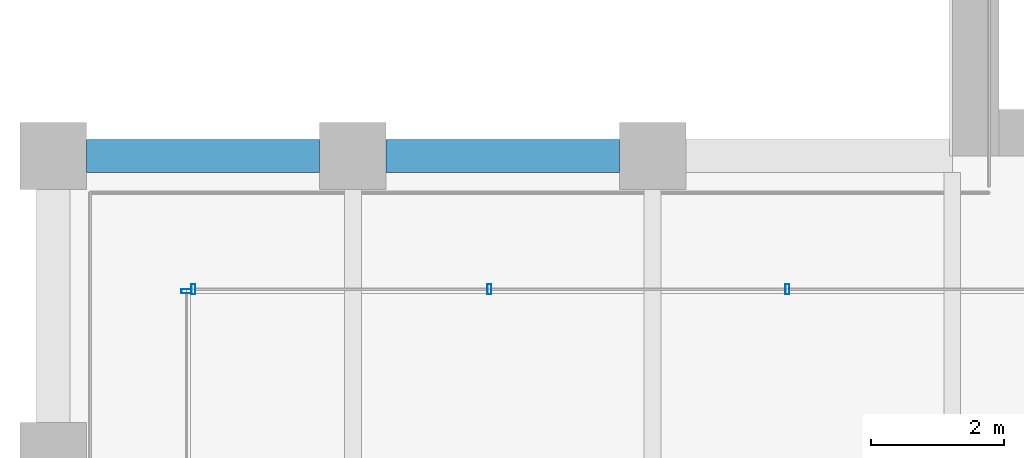
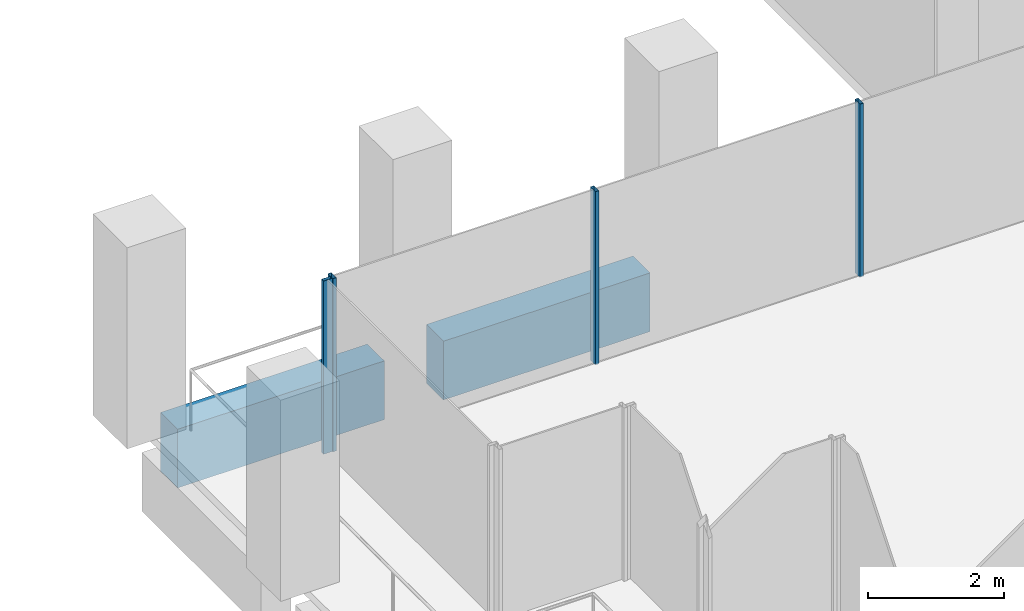
# One storey, part 5 of 45: 4 members, 2 beams, 2 elements without a shape of their own.
"""IFC4 building model written with IfcOpenShell, lengths in metres."""

from ifc_helpers import new_model, si_unit, direction, frame, origin, origin_2d, place, context, subcontext, project, spatial, rectangle, hollow_rectangle, extrude, material, material_profile, profile_set, type_object, element, aggregate, save


model = new_model("IFC4")

# Units and contexts
model_context = context("Model", 3, precision=1e-05, world=origin(), true_north=direction((0.0, 1.0)))
body_context = subcontext(model_context, "Body", "Model", "MODEL_VIEW")
ifc_project = project(units=[si_unit("LENGTHUNIT", "METRE"), si_unit("AREAUNIT", "SQUARE_METRE"), si_unit("VOLUMEUNIT", "CUBIC_METRE"), si_unit("PLANEANGLEUNIT", "RADIAN"), si_unit("MASSUNIT", "GRAM", prefix="KILO")], contexts=[model_context])

# Site, building, storey
site_placement = place(None, origin())
site = spatial("IfcSite", under=ifc_project, at=site_placement, CompositionType="ELEMENT")
building_placement = place(site_placement, origin())
building = spatial("IfcBuilding", under=site, at=building_placement, Name="Altepetl Exchange Towers", CompositionType="ELEMENT")
storey_placement = place(building_placement, frame((0.0, 0.0, 110.0)))
storey = spatial("IfcBuildingStorey", under=building, at=storey_placement, Name="L27", CompositionType="ELEMENT", Elevation=110.0)

# Curtain wall, members
ifc_material_1 = material(Name="Aluminium 6063-T6 glazing", Category="aluminium")
curtain_wall_type = type_object("IfcCurtainWallType", Name="Loggia glazing system", PredefinedType="NOTDEFINED", material=ifc_material_1)
curtain_wall_1_placement = place(storey_placement, origin())
curtain_wall_1 = element("IfcCurtainWall", 1, at=curtain_wall_1_placement, inside=storey, type_object=curtain_wall_type, Name="CW1 run", PredefinedType="NOTDEFINED")
ifc_material_2 = material(Name="Aluminium 6063-T6", Category="aluminium")
ifc_material_profile_1 = material_profile(ifc_material_2, hollow_rectangle(XDim=0.06005859375, YDim=0.14990234375, WallThickness=0.0029296875, at=origin_2d()), Name="Mullion 60x150 aluminium")
ifc_profile_set_1 = profile_set([ifc_material_profile_1], Name="Aluminium 6063-T6")
member_type = type_object("IfcMemberType", Name="Mullion 60x150 aluminium", PredefinedType="MULLION", material=ifc_profile_set_1)
member_1_placement = place(storey_placement, frame((38.02490234375, 38.5, 0.0), z_axis=(0.0, 0.0, 1.0), x_axis=(-1.0, 0.0, 0.0)))
member_1 = element("IfcMember", 2, at=member_1_placement, type_object=member_type, Name="MU1 mullion", PredefinedType="MULLION", context=body_context, shape_type="SweptSolid", body=[
    extrude(hollow_rectangle(XDim=0.06005859375, YDim=0.14990234375, WallThickness=0.0029296875, at=origin_2d()), origin(), (0.0, 0.0, 1.0), 3.10009765625),
])
member_2_placement = place(storey_placement, frame((33.550048828125, 38.5, 0.0), z_axis=(0.0, 0.0, 1.0), x_axis=(-1.0, 0.0, 0.0)))
member_2 = element("IfcMember", 3, at=member_2_placement, type_object=member_type, Name="MU1 mullion", PredefinedType="MULLION", context=body_context, shape_type="SweptSolid", body=[
    extrude(hollow_rectangle(XDim=0.06005859375, YDim=0.14990234375, WallThickness=0.0029296875, at=origin_2d()), origin(), (0.0, 0.0, 1.0), 3.10009765625),
])
member_3_placement = place(storey_placement, frame((29.10498046875, 38.5, 0.0), z_axis=(0.0, 0.0, 1.0), x_axis=(-1.0, 0.0, 0.0)))
member_3 = element("IfcMember", 4, at=member_3_placement, type_object=member_type, Name="MU1 mullion", PredefinedType="MULLION", context=body_context, shape_type="SweptSolid", body=[
    extrude(hollow_rectangle(XDim=0.06005859375, YDim=0.14990234375, WallThickness=0.0029296875, at=origin_2d()), origin(), (0.0, 0.0, 1.0), 3.10009765625),
])
aggregate(curtain_wall_1, [member_1, member_2, member_3])

# Curtain wall, member
curtain_wall_2_placement = place(storey_placement, origin())
curtain_wall_2 = element("IfcCurtainWall", 5, at=curtain_wall_2_placement, inside=storey, type_object=curtain_wall_type, Name="CW1 run", PredefinedType="NOTDEFINED")
member_4_placement = place(storey_placement, frame((29.0, 38.469970703125, 0.0), z_axis=(0.0, 0.0, 1.0), x_axis=(0.0, -1.0, 0.0)))
member_4 = element("IfcMember", 6, at=member_4_placement, type_object=member_type, Name="MU1 mullion", PredefinedType="MULLION", context=body_context, shape_type="SweptSolid", body=[
    extrude(hollow_rectangle(XDim=0.06005859375, YDim=0.14990234375, WallThickness=0.0029296875, at=origin_2d()), origin(), (0.0, 0.0, 1.0), 3.10009765625),
])
aggregate(curtain_wall_2, [member_4])

# Beams
ifc_material_3 = material(Name="Concrete C50/60 precast with tezontle facing", Category="concrete")
ifc_material_profile_2 = material_profile(ifc_material_3, rectangle(XDim=0.5, YDim=1.050048828125, at=origin_2d()), Name="500 x 1050")
ifc_profile_set_2 = profile_set([ifc_material_profile_2], Name="Concrete C50/60 precast with tezontle facing")
beam_type = type_object("IfcBeamType", Name="Spandrel beam 500x1050 tezontle", PredefinedType="SPANDREL", material=ifc_profile_set_2)
for number, where, z_axis, x_axis, name in (
    (7, (35.5, 40.5, -0.675048828125), (-1.0, 0.0, 0.0), (0.0, -1.0, 0.0), "sp:A:L27:034"),
    (8, (31.0, 40.5, -0.675048828125), (-1.0, 0.0, 0.0), (0.0, -1.0, 0.0), "sp:A:L27:035"),
):
    element("IfcBeam", number, at=place(storey_placement, frame(where, z_axis=z_axis, x_axis=x_axis)), inside=storey, type_object=beam_type, Name=name, PredefinedType="SPANDREL", context=body_context, shape_type="SweptSolid", body=[
        extrude(rectangle(XDim=0.5, YDim=1.050048828125, at=origin_2d()), origin(), (0.0, 0.0, 1.0), 3.5),
    ])

save(model, "model.ifc")
